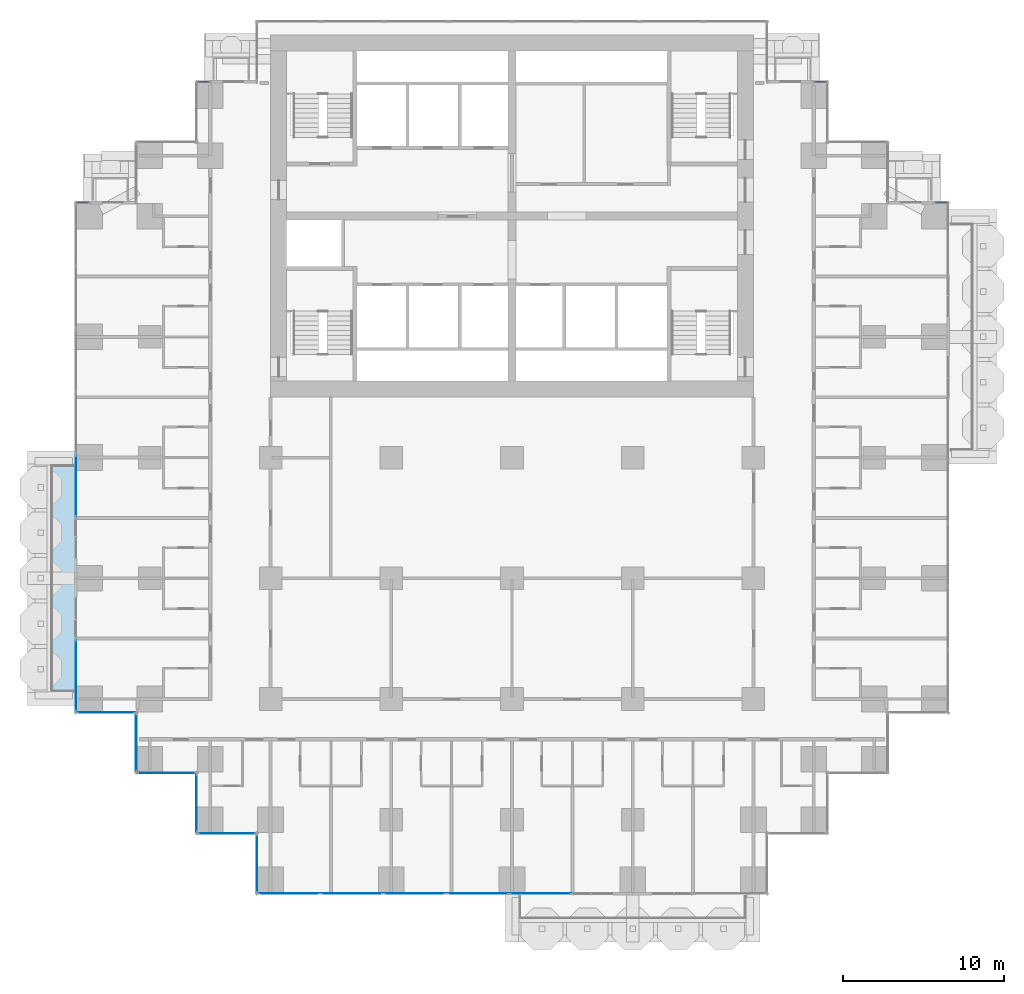
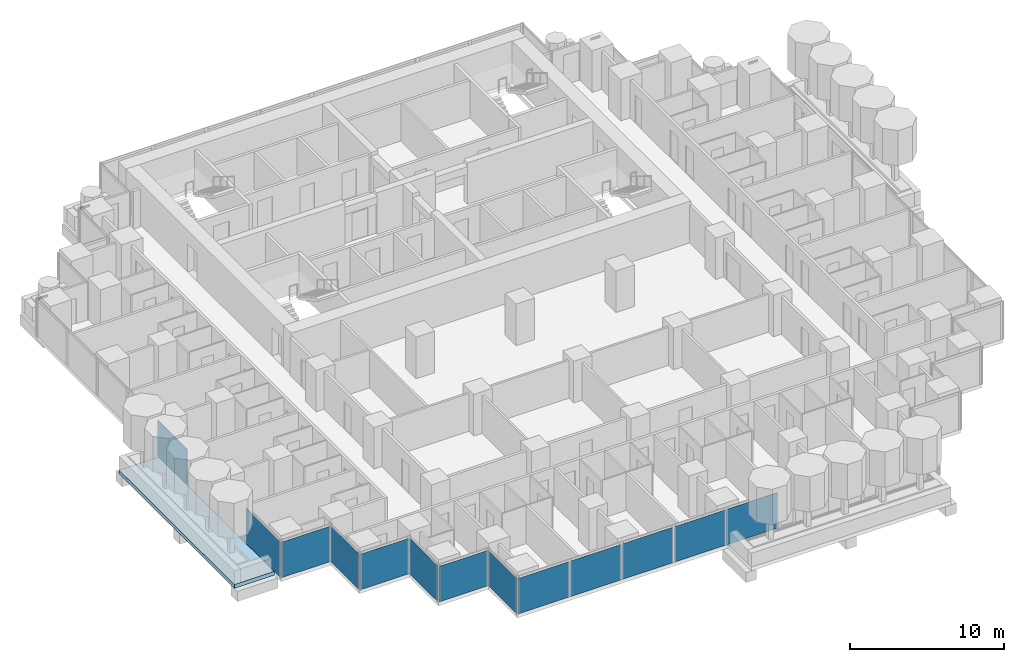
# One storey, part 6 of 19: 13 plates, 4 members, 1 slab, 14 elements without a shape of their own.
"""IFC4 building model written with IfcOpenShell, lengths in metres."""

import ifcopenshell
import ifcopenshell.guid

model = None  # the IFC model being written
_history = None  # IfcOwnerHistory: only IFC2X3 demands one
_inside = {}  # id of a spatial element -> (the spatial element, [elements in it])
_under = {}  # id of a project, library or spatial element -> (it, [spatial elements below it])
_declared = {}  # id of a project -> (the project, [libraries it declares])
_typed = {}  # id of a type object -> (the type object, [elements of that type])
_made_of = {}  # id of a material, layer set ... -> (it, [elements and type objects made of it])


def new_model(schema):
    """Start an empty IFC model of exactly this schema.

    Asked for "IFC4X3", IfcOpenShell would pick the latest addendum, in which some entities
    have other attributes; the version numbers below select the first issue.
    IFC2X3 requires an IfcOwnerHistory on every rooted entity: one is made here for all.
    """
    global model, _history
    if schema == "IFC4X3":
        model = ifcopenshell.file(schema_version=(4, 3, 0, 0))
    else:
        model = ifcopenshell.file(schema=schema)
    _inside.clear()
    _under.clear()
    _declared.clear()
    _typed.clear()
    _made_of.clear()
    _history = None
    if model.schema == "IFC2X3":
        org = make("IfcOrganization", Name="unknown")
        user = make(
            "IfcPersonAndOrganization",
            ThePerson=make("IfcPerson", FamilyName="unknown"),
            TheOrganization=org,
        )
        app = make(
            "IfcApplication",
            ApplicationDeveloper=org,
            Version="unknown",
            ApplicationFullName="unknown",
            ApplicationIdentifier="unknown",
        )
        _history = make(
            "IfcOwnerHistory",
            OwningUser=user,
            OwningApplication=app,
            ChangeAction="ADDED",
            CreationDate=0,
        )
    return model


def make(cls, **values):
    """One entity of the class cls with the attributes given. An attribute that is None is left unset."""
    return model.create_entity(
        cls, **{name: value for name, value in values.items() if value is not None}
    )


def rooted(cls, **values):
    """An entity with a GlobalId (a new one), such as an element, a storey or a relation."""
    return make(cls, GlobalId=ifcopenshell.guid.new(), OwnerHistory=_history, **values)


def si_unit(unit_type, name, prefix=None):
    """IfcSIUnit, for example si_unit("LENGTHUNIT", "METRE", prefix="MILLI")."""
    return make("IfcSIUnit", UnitType=unit_type, Prefix=prefix, Name=name)


def assignment(units):
    """IfcUnitAssignment: the units of a project."""
    return None if units is None else make("IfcUnitAssignment", Units=units)


def point(xyz):
    """IfcCartesianPoint."""
    return None if xyz is None else make("IfcCartesianPoint", Coordinates=xyz)


def direction(xyz):
    """IfcDirection."""
    return None if xyz is None else make("IfcDirection", DirectionRatios=xyz)


def frame(location, z_axis=None, x_axis=None):
    """IfcAxis2Placement3D, a coordinate frame: its origin and axes. An axis left out is left unset."""
    return make(
        "IfcAxis2Placement3D",
        Location=point(location),
        Axis=direction(z_axis),
        RefDirection=direction(x_axis),
    )


def frame_2d(location, x_axis=None):
    """IfcAxis2Placement2D, a coordinate frame in the plane: its origin and x axis."""
    return make(
        "IfcAxis2Placement2D", Location=point(location), RefDirection=direction(x_axis)
    )


def origin():
    """The frame at (0, 0, 0) with its axes left unset."""
    return frame((0.0, 0.0, 0.0))


def origin_2d():
    """The frame at (0, 0) in the plane with its x axis left unset."""
    return frame_2d((0.0, 0.0))


def place(relative_to, where):
    """IfcLocalPlacement: puts the frame where relative to a parent placement (None: the world)."""
    return make(
        "IfcLocalPlacement", PlacementRelTo=relative_to, RelativePlacement=where
    )


def context(
    kind, dimensions, precision=None, world=None, true_north=None, identifier=None
):
    """IfcGeometricRepresentationContext, for example the 3D "Model" context."""
    return make(
        "IfcGeometricRepresentationContext",
        ContextIdentifier=identifier,
        ContextType=kind,
        CoordinateSpaceDimension=dimensions,
        Precision=precision,
        WorldCoordinateSystem=world,
        TrueNorth=true_north,
    )


def subcontext(parent, identifier, kind, view, scale=None):
    """IfcGeometricRepresentationSubContext, for example "Body" below "Model"."""
    return make(
        "IfcGeometricRepresentationSubContext",
        ContextIdentifier=identifier,
        ContextType=kind,
        ParentContext=parent,
        TargetScale=scale,
        TargetView=view,
    )


def project(units=None, contexts=None):
    """IfcProject with its units and contexts."""
    return rooted(
        "IfcProject",
        Name="project",
        RepresentationContexts=contexts,
        UnitsInContext=assignment(units),
    )


def spatial(cls, under=None, at=None, **own):
    """A site, building, storey or space (cls), placed at a placement, below another one or the project."""
    s = rooted(cls, ObjectPlacement=at, **own)
    if under is not None:
        _under.setdefault(under.id(), (under, []))[1].append(s)
    return s


def polyline(points):
    """IfcPolyline through the points."""
    return make("IfcPolyline", Points=[point(p) for p in points])


def profile(cls, at=None, kind="AREA", **sizes):
    """A parametric profile (cls). Its sizes go by their IFC names, for example OverallWidth=200.0."""
    return make(cls, ProfileType=kind, Position=at, **sizes)


def rectangle(**sizes):
    """IfcRectangleProfileDef."""
    return profile("IfcRectangleProfileDef", **sizes)


def outline(outer, holes=None, kind="AREA"):
    """IfcArbitraryClosedProfileDef: a profile drawn as a closed curve; with holes, ...WithVoids."""
    if holes is None:
        return make("IfcArbitraryClosedProfileDef", ProfileType=kind, OuterCurve=outer)
    return make(
        "IfcArbitraryProfileDefWithVoids",
        ProfileType=kind,
        OuterCurve=outer,
        InnerCurves=holes,
    )


def extrude(swept, where, along, depth):
    """IfcExtrudedAreaSolid: the profile swept, set in the frame where, extruded along a direction by depth."""
    return make(
        "IfcExtrudedAreaSolid",
        SweptArea=swept,
        Position=where,
        ExtrudedDirection=direction(along),
        Depth=depth,
    )


def shape(context_of_items, identifier, shape_type, items):
    """IfcShapeRepresentation: the items that make up one representation, for example the "Body"."""
    return make(
        "IfcShapeRepresentation",
        ContextOfItems=context_of_items,
        RepresentationIdentifier=identifier,
        RepresentationType=shape_type,
        Items=items,
    )


def material(Name=None, Category=None):
    """IfcMaterial."""
    return make("IfcMaterial", Name=Name, Category=Category)


def layer(
    of_material, thickness, ventilated=None, Name=None, Category=None, Priority=None
):
    """IfcMaterialLayer: one layer of a wall or slab, of a material (None: an air gap)."""
    return make(
        "IfcMaterialLayer",
        Material=of_material,
        LayerThickness=thickness,
        IsVentilated=ventilated,
        Name=Name,
        Category=Category,
        Priority=Priority,
    )


def layer_set(layers, Name=None):
    """IfcMaterialLayerSet."""
    return make("IfcMaterialLayerSet", MaterialLayers=layers, LayerSetName=Name)


def material_profile(
    of_material, cross_section, Name=None, Category=None, Priority=None
):
    """IfcMaterialProfile: a cross section and its material."""
    return make(
        "IfcMaterialProfile",
        Name=Name,
        Material=of_material,
        Profile=cross_section,
        Priority=Priority,
        Category=Category,
    )


def profile_set(profiles, Name=None, composite=None):
    """IfcMaterialProfileSet."""
    return make(
        "IfcMaterialProfileSet",
        Name=Name,
        MaterialProfiles=profiles,
        CompositeProfile=composite,
    )


def made_of(thing, what):
    """Note that an element or type object is made of a material, layer set ...; save() writes the relation."""
    if what is not None:
        _made_of.setdefault(what.id(), (what, []))[1].append(thing)
    return thing


def type_object(cls, material=None, **own):
    """A type object (cls), such as IfcWallType, which elements share."""
    return made_of(rooted(cls, **own), material)


def element(
    cls,
    number,
    at=None,
    inside=None,
    cuts=None,
    type_object=None,
    material=None,
    context=None,
    identifier="Body",
    shape_type=None,
    held_by="IfcProductDefinitionShape",
    body=None,
    shapes=None,
    **own,
):
    """One element of the class cls, such as IfcWall. Its Tag is "e" and its number.

    at: its placement. inside: the storey or other place that contains it. cuts: it is an
    opening in that element (IfcRelVoidsElement). A single representation is given by context,
    identifier, shape_type and body (its items); several are given by shapes. held_by: the class
    of the entity that holds the representations. save() writes the other relations.
    """
    e = rooted(cls, Tag="e%d" % number, ObjectPlacement=at, **own)
    if body is not None:
        shapes = [shape(context, identifier, shape_type, body)]
    if shapes is not None:
        e.Representation = make(held_by, Representations=shapes)
    if inside is not None:
        _inside.setdefault(inside.id(), (inside, []))[1].append(e)
    if cuts is not None:
        rooted(
            "IfcRelVoidsElement", RelatingBuildingElement=cuts, RelatedOpeningElement=e
        )
    if type_object is not None:
        _typed.setdefault(type_object.id(), (type_object, []))[1].append(e)
    return made_of(e, material)


def aggregate(whole, parts):
    """IfcRelAggregates: a whole, such as a stair, and the parts it consists of."""
    return rooted("IfcRelAggregates", RelatingObject=whole, RelatedObjects=parts)


def save(model, path):
    """Write the relations noted so far, then the file.

    IfcRelAggregates (storeys below a building ...), IfcRelContainedInSpatialStructure (elements
    in a storey), IfcRelDefinesByType, IfcRelAssociatesMaterial and IfcRelDeclares: one each for
    every whole, place, type object, material and project.
    """
    for whole, parts in _under.values():
        aggregate(whole, parts)
    for where, things in _inside.values():
        rooted(
            "IfcRelContainedInSpatialStructure",
            RelatedElements=things,
            RelatingStructure=where,
        )
    for kind, things in _typed.values():
        rooted("IfcRelDefinesByType", RelatedObjects=things, RelatingType=kind)
    for what, things in _made_of.values():
        rooted("IfcRelAssociatesMaterial", RelatedObjects=things, RelatingMaterial=what)
    for by, libraries in _declared.values():
        rooted("IfcRelDeclares", RelatingContext=by, RelatedDefinitions=libraries)
    model.write(path)


model = new_model("IFC4")

# Units and contexts
model_context = context("Model", 3, precision=1e-05, world=origin(), true_north=direction((0.0, 1.0)))
body_context = subcontext(model_context, "Body", "Model", "MODEL_VIEW")
ifc_project = project(units=[si_unit("LENGTHUNIT", "METRE"), si_unit("AREAUNIT", "SQUARE_METRE"), si_unit("VOLUMEUNIT", "CUBIC_METRE"), si_unit("PLANEANGLEUNIT", "RADIAN"), si_unit("MASSUNIT", "GRAM", prefix="KILO")], contexts=[model_context])

# Site, building, storey
site_placement = place(None, origin())
site = spatial("IfcSite", under=ifc_project, at=site_placement, CompositionType="ELEMENT")
building_placement = place(site_placement, origin())
building = spatial("IfcBuilding", under=site, at=building_placement, Name="Pilkhan Gate Tower", CompositionType="ELEMENT")
storey_placement = place(building_placement, frame((0.0, 0.0, 39.5)))
storey = spatial("IfcBuildingStorey", under=building, at=storey_placement, Name="L06", CompositionType="ELEMENT", Elevation=39.5)

# Curtain wall, member
ifc_material_1 = material(Name="Pale anodised aluminium, clear low-iron double glazing", Category="aluminium")
curtain_wall_type = type_object("IfcCurtainWallType", Name="Hotel unitised curtain wall CW-H", PredefinedType="USERDEFINED", material=ifc_material_1)
curtain_wall_1_placement = place(storey_placement, origin())
curtain_wall_1 = element("IfcCurtainWall", 1, at=curtain_wall_1_placement, inside=storey, type_object=curtain_wall_type, Name="Hotel unitised curtain wall CW-H L06 N", ObjectType="UNITISED CURTAIN WALL", PredefinedType="USERDEFINED")
ifc_material_2 = material(Name="Pale anodised aluminium", Category="aluminium")
ifc_material_profile = material_profile(ifc_material_2, rectangle(XDim=0.06494140625, YDim=0.179931640625, at=origin_2d()), Name="Transom 180x65")
ifc_profile_set = profile_set([ifc_material_profile], Name="Pale anodised aluminium")
member_type = type_object("IfcMemberType", Name="Transom CW-H 180x65", PredefinedType="USERDEFINED", material=ifc_profile_set)
member_1_placement = place(storey_placement, frame((101.31494140625, 83.344970703125, 2.909912109375), z_axis=(1.0, 0.0, 0.0), x_axis=(0.0, 1.0, 0.0)))
member_1 = element("IfcMember", 2, at=member_1_placement, type_object=member_type, Name="CW-H transom 1", ObjectType="TRANSOM", PredefinedType="USERDEFINED", context=body_context, shape_type="SweptSolid", body=[
    extrude(rectangle(XDim=0.06494140625, YDim=0.179931640625, at=origin_2d()), origin(), (0.0, 0.0, 1.0), 0.715087890625),
])
aggregate(curtain_wall_1, [member_1])

curtain_wall_2_placement = place(storey_placement, origin())
curtain_wall_2 = element("IfcCurtainWall", 3, at=curtain_wall_2_placement, inside=storey, type_object=curtain_wall_type, Name="Hotel unitised curtain wall CW-H L06 N", ObjectType="UNITISED CURTAIN WALL", PredefinedType="USERDEFINED")
member_2_placement = place(storey_placement, frame((93.81494140625, 90.844970703125, 2.909912109375), z_axis=(1.0, 0.0, 0.0), x_axis=(0.0, 1.0, 0.0)))
member_2 = element("IfcMember", 4, at=member_2_placement, type_object=member_type, Name="CW-H transom 1", ObjectType="TRANSOM", PredefinedType="USERDEFINED", context=body_context, shape_type="SweptSolid", body=[
    extrude(rectangle(XDim=0.06494140625, YDim=0.179931640625, at=origin_2d()), origin(), (0.0, 0.0, 1.0), 0.715087890625),
])
aggregate(curtain_wall_2, [member_2])

curtain_wall_3_placement = place(storey_placement, origin())
curtain_wall_3 = element("IfcCurtainWall", 5, at=curtain_wall_3_placement, inside=storey, type_object=curtain_wall_type, Name="Hotel unitised curtain wall CW-H L06 N", ObjectType="UNITISED CURTAIN WALL", PredefinedType="USERDEFINED")
member_3_placement = place(storey_placement, frame((55.469970703125, 90.844970703125, 2.909912109375), z_axis=(1.0, 0.0, 0.0), x_axis=(0.0, 1.0, 0.0)))
member_3 = element("IfcMember", 6, at=member_3_placement, type_object=member_type, Name="CW-H transom 1", ObjectType="TRANSOM", PredefinedType="USERDEFINED", context=body_context, shape_type="SweptSolid", body=[
    extrude(rectangle(XDim=0.06494140625, YDim=0.179931640625, at=origin_2d()), origin(), (0.0, 0.0, 1.0), 0.715087890625),
])
aggregate(curtain_wall_3, [member_3])

curtain_wall_4_placement = place(storey_placement, origin())
curtain_wall_4 = element("IfcCurtainWall", 7, at=curtain_wall_4_placement, inside=storey, type_object=curtain_wall_type, Name="Hotel unitised curtain wall CW-H L06 N", ObjectType="UNITISED CURTAIN WALL", PredefinedType="USERDEFINED")
member_4_placement = place(storey_placement, frame((47.969970703125, 83.344970703125, 2.909912109375), z_axis=(1.0, 0.0, 0.0), x_axis=(0.0, 1.0, 0.0)))
member_4 = element("IfcMember", 8, at=member_4_placement, type_object=member_type, Name="CW-H transom 1", ObjectType="TRANSOM", PredefinedType="USERDEFINED", context=body_context, shape_type="SweptSolid", body=[
    extrude(rectangle(XDim=0.06494140625, YDim=0.179931640625, at=origin_2d()), origin(), (0.0, 0.0, 1.0), 0.715087890625),
])
aggregate(curtain_wall_4, [member_4])

# Slab
ifc_material_3 = material(Name="Concrete C60/75", Category="concrete")
ifc_layer_1 = layer(ifc_material_3, 0.300048828125)
ifc_layer_set_1 = layer_set([ifc_layer_1], Name="Balcony tray slab TR300")
slab_type = type_object("IfcSlabType", Name="Balcony tray slab TR300", PredefinedType="FLOOR", material=ifc_layer_set_1)
slab_placement = place(storey_placement, frame((0.0, 0.0, -0.300048828125)))
element("IfcSlab", 9, at=slab_placement, inside=storey, type_object=slab_type, Name="Balcony tray L06 W", PredefinedType="FLOOR", context=body_context, shape_type="SweptSolid", body=[
    extrude(outline(polyline([(47.89990234375, 52.5), (47.89990234375, 67.5), (44.89990234375, 67.5), (44.89990234375, 52.5), (47.89990234375, 52.5)])), origin(), (0.0, 0.0, 1.0), 0.300048828125),
])

# Curtain wall, plate
curtain_wall_5_placement = place(storey_placement, origin())
curtain_wall_5 = element("IfcCurtainWall", 10, at=curtain_wall_5_placement, inside=storey, type_object=curtain_wall_type, Name="Hotel unitised curtain wall CW-H L06 W", ObjectType="UNITISED CURTAIN WALL", PredefinedType="USERDEFINED")
ifc_material_4 = material(Name="Clear low-iron double glazing", Category="glass")
ifc_layer_2 = layer(ifc_material_4, 0.035888671875)
ifc_layer_set_2 = layer_set([ifc_layer_2], Name="Glass panel CW-H 36")
plate_type = type_object("IfcPlateType", Name="Glass panel CW-H 36", PredefinedType="CURTAIN_PANEL", material=ifc_layer_set_2)
plate_1_placement = place(storey_placement, frame((47.905029296875, 53.952392578125, 0.0), z_axis=(0.0, 0.0, 1.0), x_axis=(0.0, 1.0, 0.0)))
plate_1 = element("IfcPlate", 11, at=plate_1_placement, type_object=plate_type, Name="CW-H panel 1", PredefinedType="CURTAIN_PANEL", context=body_context, shape_type="SweptSolid", body=[
    extrude(rectangle(XDim=4.465087890625, YDim=0.035888671875, at=origin_2d()), origin(), (0.0, 0.0, 1.0), 2.820068359375),
])
aggregate(curtain_wall_5, [plate_1])

curtain_wall_6_placement = place(storey_placement, origin())
curtain_wall_6 = element("IfcCurtainWall", 12, at=curtain_wall_6_placement, inside=storey, type_object=curtain_wall_type, Name="Hotel unitised curtain wall CW-H L06 W", ObjectType="UNITISED CURTAIN WALL", PredefinedType="USERDEFINED")
plate_2_placement = place(storey_placement, frame((47.905029296875, 65.725830078125, 0.0), z_axis=(0.0, 0.0, 1.0), x_axis=(0.0, 1.0, 0.0)))
plate_2 = element("IfcPlate", 13, at=plate_2_placement, type_object=plate_type, Name="CW-H panel 1", PredefinedType="CURTAIN_PANEL", context=body_context, shape_type="SweptSolid", body=[
    extrude(rectangle(XDim=3.821533203125, YDim=0.035888671875, at=origin_2d()), origin(), (0.0, 0.0, 1.0), 2.820068359375),
])
aggregate(curtain_wall_6, [plate_2])

curtain_wall_7_placement = place(storey_placement, origin())
curtain_wall_7 = element("IfcCurtainWall", 14, at=curtain_wall_7_placement, inside=storey, type_object=curtain_wall_type, Name="Hotel unitised curtain wall CW-H L06 S", ObjectType="UNITISED CURTAIN WALL", PredefinedType="USERDEFINED")
plate_3_placement = place(storey_placement, frame((49.780029296875, 51.655029296875, 0.0), z_axis=(0.0, 0.0, 1.0), x_axis=(1.0, 0.0, 0.0)))
plate_3 = element("IfcPlate", 15, at=plate_3_placement, type_object=plate_type, Name="CW-H panel 1", PredefinedType="CURTAIN_PANEL", context=body_context, shape_type="SweptSolid", body=[
    extrude(rectangle(XDim=3.6201171875, YDim=0.035888671875, at=origin_2d()), origin(), (0.0, 0.0, 1.0), 2.820068359375),
])
aggregate(curtain_wall_7, [plate_3])

curtain_wall_8_placement = place(storey_placement, origin())
curtain_wall_8 = element("IfcCurtainWall", 16, at=curtain_wall_8_placement, inside=storey, type_object=curtain_wall_type, Name="Hotel unitised curtain wall CW-H L06 W", ObjectType="UNITISED CURTAIN WALL", PredefinedType="USERDEFINED")
plate_4_placement = place(storey_placement, frame((51.655029296875, 49.780029296875, 0.0), z_axis=(0.0, 0.0, 1.0), x_axis=(0.0, 1.0, 0.0)))
plate_4 = element("IfcPlate", 17, at=plate_4_placement, type_object=plate_type, Name="CW-H panel 1", PredefinedType="CURTAIN_PANEL", context=body_context, shape_type="SweptSolid", body=[
    extrude(rectangle(XDim=3.6201171875, YDim=0.035888671875, at=origin_2d()), origin(), (0.0, 0.0, 1.0), 2.820068359375),
])
aggregate(curtain_wall_8, [plate_4])

curtain_wall_9_placement = place(storey_placement, origin())
curtain_wall_9 = element("IfcCurtainWall", 18, at=curtain_wall_9_placement, inside=storey, type_object=curtain_wall_type, Name="Hotel unitised curtain wall CW-H L06 S", ObjectType="UNITISED CURTAIN WALL", PredefinedType="USERDEFINED")
plate_5_placement = place(storey_placement, frame((53.530029296875, 47.905029296875, 0.0), z_axis=(0.0, 0.0, 1.0), x_axis=(1.0, 0.0, 0.0)))
plate_5 = element("IfcPlate", 19, at=plate_5_placement, type_object=plate_type, Name="CW-H panel 1", PredefinedType="CURTAIN_PANEL", context=body_context, shape_type="SweptSolid", body=[
    extrude(rectangle(XDim=3.6201171875, YDim=0.035888671875, at=origin_2d()), origin(), (0.0, 0.0, 1.0), 2.820068359375),
])
aggregate(curtain_wall_9, [plate_5])

curtain_wall_10_placement = place(storey_placement, origin())
curtain_wall_10 = element("IfcCurtainWall", 20, at=curtain_wall_10_placement, inside=storey, type_object=curtain_wall_type, Name="Hotel unitised curtain wall CW-H L06 W", ObjectType="UNITISED CURTAIN WALL", PredefinedType="USERDEFINED")
plate_6_placement = place(storey_placement, frame((55.405029296875, 46.030029296875, 0.0), z_axis=(0.0, 0.0, 1.0), x_axis=(0.0, 1.0, 0.0)))
plate_6 = element("IfcPlate", 21, at=plate_6_placement, type_object=plate_type, Name="CW-H panel 1", PredefinedType="CURTAIN_PANEL", context=body_context, shape_type="SweptSolid", body=[
    extrude(rectangle(XDim=3.6201171875, YDim=0.035888671875, at=origin_2d()), origin(), (0.0, 0.0, 1.0), 2.820068359375),
])
aggregate(curtain_wall_10, [plate_6])

curtain_wall_11_placement = place(storey_placement, origin())
curtain_wall_11 = element("IfcCurtainWall", 22, at=curtain_wall_11_placement, inside=storey, type_object=curtain_wall_type, Name="Hotel unitised curtain wall CW-H L06 S", ObjectType="UNITISED CURTAIN WALL", PredefinedType="USERDEFINED")
plate_7_placement = place(storey_placement, frame((57.280029296875, 44.155029296875, 0.0), z_axis=(0.0, 0.0, 1.0), x_axis=(1.0, 0.0, 0.0)))
plate_7 = element("IfcPlate", 23, at=plate_7_placement, type_object=plate_type, Name="CW-H panel 1", PredefinedType="CURTAIN_PANEL", context=body_context, shape_type="SweptSolid", body=[
    extrude(rectangle(XDim=3.6201171875, YDim=0.035888671875, at=origin_2d()), origin(), (0.0, 0.0, 1.0), 2.820068359375),
])
aggregate(curtain_wall_11, [plate_7])

curtain_wall_12_placement = place(storey_placement, origin())
curtain_wall_12 = element("IfcCurtainWall", 24, at=curtain_wall_12_placement, inside=storey, type_object=curtain_wall_type, Name="Hotel unitised curtain wall CW-H L06 W", ObjectType="UNITISED CURTAIN WALL", PredefinedType="USERDEFINED")
plate_8_placement = place(storey_placement, frame((59.155029296875, 42.280029296875, 0.0), z_axis=(0.0, 0.0, 1.0), x_axis=(0.0, 1.0, 0.0)))
plate_8 = element("IfcPlate", 25, at=plate_8_placement, type_object=plate_type, Name="CW-H panel 1", PredefinedType="CURTAIN_PANEL", context=body_context, shape_type="SweptSolid", body=[
    extrude(rectangle(XDim=3.6201171875, YDim=0.035888671875, at=origin_2d()), origin(), (0.0, 0.0, 1.0), 2.820068359375),
])
aggregate(curtain_wall_12, [plate_8])

# Curtain wall, plates
curtain_wall_13_placement = place(storey_placement, origin())
curtain_wall_13 = element("IfcCurtainWall", 26, at=curtain_wall_13_placement, inside=storey, type_object=curtain_wall_type, Name="Hotel unitised curtain wall CW-H L06 S", ObjectType="UNITISED CURTAIN WALL", PredefinedType="USERDEFINED")
plate_9_placement = place(storey_placement, frame((61.130859375, 40.405029296875, 0.0), z_axis=(0.0, 0.0, 1.0), x_axis=(1.0, 0.0, 0.0)))
plate_9 = element("IfcPlate", 27, at=plate_9_placement, type_object=plate_type, Name="CW-H panel 1", PredefinedType="CURTAIN_PANEL", context=body_context, shape_type="SweptSolid", body=[
    extrude(rectangle(XDim=3.821533203125, YDim=0.035888671875, at=origin_2d()), origin(), (0.0, 0.0, 1.0), 2.820068359375),
])
plate_10_placement = place(storey_placement, frame((65.033447265625, 40.405029296875, 0.0), z_axis=(0.0, 0.0, 1.0), x_axis=(1.0, 0.0, 0.0)))
plate_10 = element("IfcPlate", 28, at=plate_10_placement, type_object=plate_type, Name="CW-H panel 2", PredefinedType="CURTAIN_PANEL", context=body_context, shape_type="SweptSolid", body=[
    extrude(rectangle(XDim=3.85400390625, YDim=0.035888671875, at=origin_2d()), origin(), (0.0, 0.0, 1.0), 2.820068359375),
])
plate_11_placement = place(storey_placement, frame((68.936279296875, 40.405029296875, 0.0), z_axis=(0.0, 0.0, 1.0), x_axis=(1.0, 0.0, 0.0)))
plate_11 = element("IfcPlate", 29, at=plate_11_placement, type_object=plate_type, Name="CW-H panel 3", PredefinedType="CURTAIN_PANEL", context=body_context, shape_type="SweptSolid", body=[
    extrude(rectangle(XDim=3.821533203125, YDim=0.035888671875, at=origin_2d()), origin(), (0.0, 0.0, 1.0), 2.820068359375),
])
aggregate(curtain_wall_13, [plate_9, plate_10, plate_11])

curtain_wall_14_placement = place(storey_placement, origin())
curtain_wall_14 = element("IfcCurtainWall", 30, at=curtain_wall_14_placement, inside=storey, type_object=curtain_wall_type, Name="Hotel unitised curtain wall CW-H L06 S", ObjectType="UNITISED CURTAIN WALL", PredefinedType="USERDEFINED")
plate_12_placement = place(storey_placement, frame((72.8876953125, 40.405029296875, 0.0), z_axis=(0.0, 0.0, 1.0), x_axis=(1.0, 0.0, 0.0)))
plate_12 = element("IfcPlate", 31, at=plate_12_placement, type_object=plate_type, Name="CW-H panel 1", PredefinedType="CURTAIN_PANEL", context=body_context, shape_type="SweptSolid", body=[
    extrude(rectangle(XDim=3.821533203125, YDim=0.035888671875, at=origin_2d()), origin(), (0.0, 0.0, 1.0), 2.820068359375),
])
plate_13_placement = place(storey_placement, frame((76.774169921875, 40.405029296875, 0.0), z_axis=(0.0, 0.0, 1.0), x_axis=(1.0, 0.0, 0.0)))
plate_13 = element("IfcPlate", 32, at=plate_13_placement, type_object=plate_type, Name="CW-H panel 2", PredefinedType="CURTAIN_PANEL", context=body_context, shape_type="SweptSolid", body=[
    extrude(rectangle(XDim=3.821533203125, YDim=0.035888671875, at=origin_2d()), origin(), (0.0, 0.0, 1.0), 2.820068359375),
])
aggregate(curtain_wall_14, [plate_12, plate_13])

save(model, "model.ifc")
